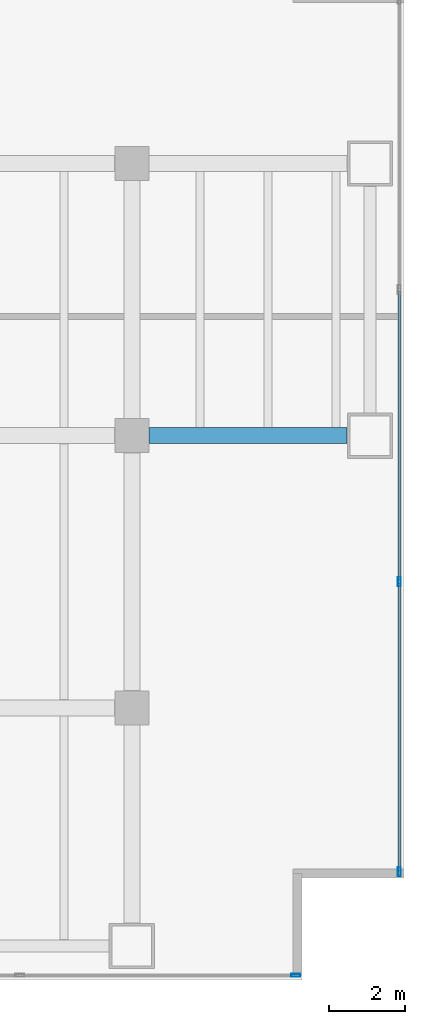
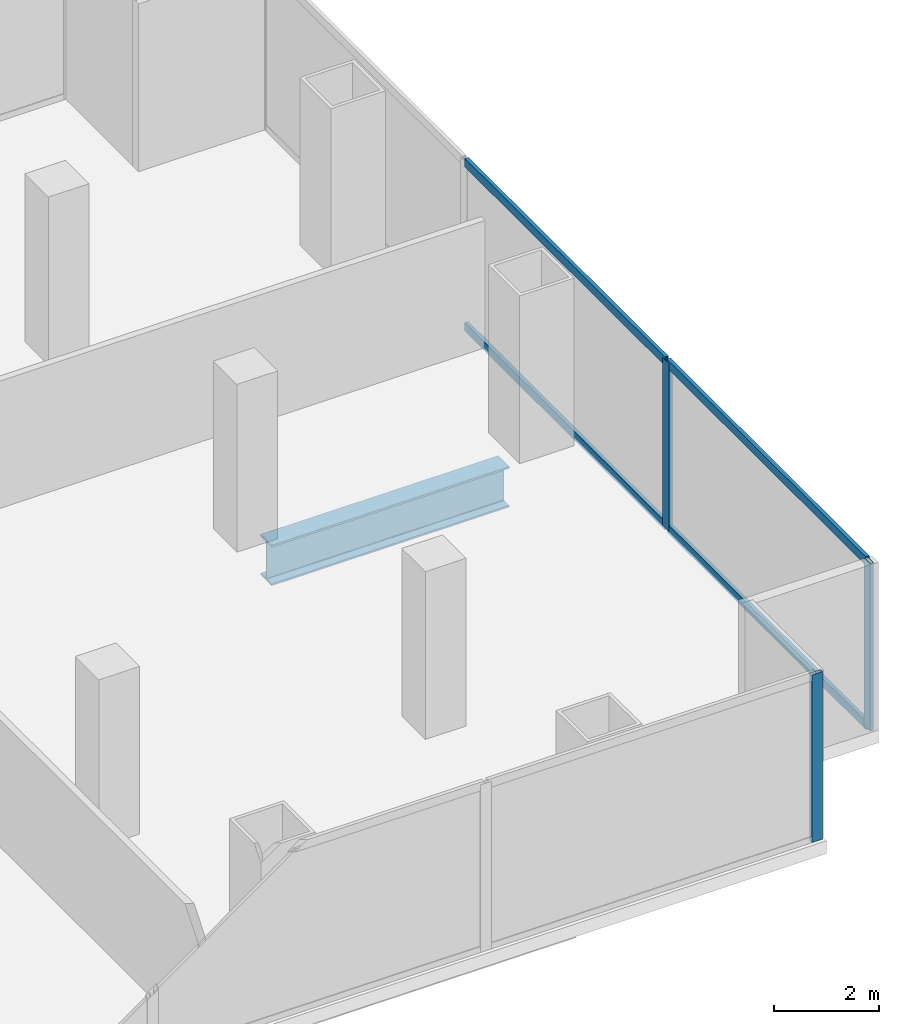
# One storey, part 18 of 29: 7 members, 1 beam, 2 elements without a shape of their own.
"""IFC4 building model written with IfcOpenShell, lengths in metres."""

from ifc_helpers import new_model, si_unit, direction, frame, origin, origin_2d, place, context, subcontext, project, spatial, hollow_rectangle, i_section, extrude, material, material_profile, profile_set, type_object, element, aggregate, save


model = new_model("IFC4")

# Units and contexts
model_context = context("Model", 3, precision=1e-05, world=origin(), true_north=direction((0.0, 1.0)))
body_context = subcontext(model_context, "Body", "Model", "MODEL_VIEW")
ifc_project = project(units=[si_unit("LENGTHUNIT", "METRE"), si_unit("AREAUNIT", "SQUARE_METRE"), si_unit("VOLUMEUNIT", "CUBIC_METRE"), si_unit("PLANEANGLEUNIT", "RADIAN"), si_unit("MASSUNIT", "GRAM", prefix="KILO")], contexts=[model_context])

# Site, building, storey
site_placement = place(None, origin())
site = spatial("IfcSite", under=ifc_project, at=site_placement, CompositionType="ELEMENT")
building_placement = place(site_placement, origin())
building = spatial("IfcBuilding", under=site, at=building_placement, Name="Cobrela Telecom Tower", CompositionType="ELEMENT")
storey_placement = place(building_placement, frame((0.0, 0.0, 13.64990234375)))
storey = spatial("IfcBuildingStorey", under=building, at=storey_placement, Name="L03", CompositionType="ELEMENT", Elevation=13.64990234375)

# Beam
ifc_material_1 = material(Name="Steel ASTM A992 Grade 50", Category="steel")
ifc_material_profile_1 = material_profile(ifc_material_1, i_section(OverallWidth=0.424072265625, OverallDepth=0.947021484375, WebThickness=0.02392578125, FlangeThickness=0.042724609375, FilletRadius=0.02392578125, at=origin_2d()), Name="W36X302")
ifc_profile_set_1 = profile_set([ifc_material_profile_1], Name="Steel ASTM A992 Grade 50")
beam_type = type_object("IfcBeamType", Name="BM-GIRD-01", PredefinedType="USERDEFINED", material=ifc_profile_set_1)
beam_placement = place(storey_placement, frame((79.655029296875, 14.39990234375, -0.7734375), z_axis=(1.0, 0.0, 0.0), x_axis=(0.0, 1.0, 0.0)))
element("IfcBeam", 1, at=beam_placement, inside=storey, type_object=beam_type, Name="L03 Primary Girder X28", ObjectType="GIRDER", PredefinedType="USERDEFINED", context=body_context, shape_type="SweptSolid", body=[
    extrude(i_section(OverallWidth=0.424072265625, OverallDepth=0.947021484375, WebThickness=0.02392578125, FlangeThickness=0.042724609375, FilletRadius=0.02392578125, at=origin_2d()), origin(), (0.0, 0.0, 1.0), 5.239990234375),
])

# Curtain wall, members
ifc_material_2 = material(Name="Anodized Bronze Aluminium 6063-T6", Category="aluminium")
curtain_wall_type = type_object("IfcCurtainWallType", Name="CW-SYS-CONC", PredefinedType="USERDEFINED", material=ifc_material_2)
curtain_wall_1_placement = place(storey_placement, origin())
curtain_wall_1 = element("IfcCurtainWall", 2, at=curtain_wall_1_placement, inside=storey, type_object=curtain_wall_type, Name="L03 Unitised Bronze Curtain Wall 14", ObjectType="UNITISED CURTAIN WALL", PredefinedType="USERDEFINED")
ifc_material_profile_2 = material_profile(ifc_material_2, hollow_rectangle(XDim=0.080078125, YDim=0.239990234375, WallThickness=0.0048828125, at=origin_2d()), Name="ALU 80x240x5")
ifc_profile_set_2 = profile_set([ifc_material_profile_2], Name="Anodized Bronze Aluminium 6063-T6")
member_type_1 = type_object("IfcMemberType", Name="CW-SYS-CONC-MUL", PredefinedType="MULLION", material=ifc_profile_set_2)
member_1_placement = place(storey_placement, frame((86.280029296875, 10.5400390625, 0.0), z_axis=(0.0, 0.0, 1.0), x_axis=(1.0, 0.0, 0.0)))
member_1 = element("IfcMember", 3, at=member_1_placement, type_object=member_type_1, Name="CW-CONC mullion 3", PredefinedType="MULLION", context=body_context, shape_type="SweptSolid", body=[
    extrude(hollow_rectangle(XDim=0.080078125, YDim=0.239990234375, WallThickness=0.0048828125, at=origin_2d()), origin(), (0.0, 0.0, 1.0), 3.91015625),
])
member_2_placement = place(storey_placement, frame((86.280029296875, 2.860107421875, 0.0), z_axis=(0.0, 0.0, 1.0), x_axis=(1.0, 0.0, 0.0)))
member_2 = element("IfcMember", 4, at=member_2_placement, type_object=member_type_1, Name="CW-CONC mullion 4", PredefinedType="MULLION", context=body_context, shape_type="SweptSolid", body=[
    extrude(hollow_rectangle(XDim=0.080078125, YDim=0.239990234375, WallThickness=0.0048828125, at=origin_2d()), origin(), (0.0, 0.0, 1.0), 3.91015625),
])

# Curtain wall, member
curtain_wall_2_placement = place(storey_placement, origin())
curtain_wall_2 = element("IfcCurtainWall", 5, at=curtain_wall_2_placement, inside=storey, type_object=curtain_wall_type, Name="L03 Unitised Bronze Curtain Wall 17", ObjectType="UNITISED CURTAIN WALL", PredefinedType="USERDEFINED")
member_3_placement = place(storey_placement, frame((83.5400390625, 0.1201171875, 0.0), z_axis=(0.0, 0.0, 1.0), x_axis=(0.0, -1.0, 0.0)))
member_3 = element("IfcMember", 6, at=member_3_placement, type_object=member_type_1, Name="CW-CONC mullion 1", PredefinedType="MULLION", context=body_context, shape_type="SweptSolid", body=[
    extrude(hollow_rectangle(XDim=0.080078125, YDim=0.239990234375, WallThickness=0.0048828125, at=origin_2d()), origin(), (0.0, 0.0, 1.0), 3.91015625),
])
aggregate(curtain_wall_2, [member_3])

# Member
ifc_material_profile_3 = material_profile(ifc_material_2, hollow_rectangle(XDim=0.080078125, YDim=0.199951171875, WallThickness=0.00390625, at=origin_2d()), Name="ALU 80x200x4")
ifc_profile_set_3 = profile_set([ifc_material_profile_3], Name="Anodized Bronze Aluminium 6063-T6")
member_type_2 = type_object("IfcMemberType", Name="CW-SYS-CONC-TRN", PredefinedType="USERDEFINED", material=ifc_profile_set_3)
member_4_placement = place(storey_placement, frame((86.280029296875, 18.219970703125, 0.0400390625), z_axis=(0.0, -1.0, 0.0), x_axis=(1.0, 0.0, 0.0)))
member_4 = element("IfcMember", 7, at=member_4_placement, type_object=member_type_2, Name="CW-CONC transom 2.1", ObjectType="TRANSOM", PredefinedType="USERDEFINED", context=body_context, shape_type="SweptSolid", body=[
    extrude(hollow_rectangle(XDim=0.080078125, YDim=0.199951171875, WallThickness=0.00390625, at=origin_2d()), origin(), (0.0, 0.0, 1.0), 7.639892578125),
])

member_5_placement = place(storey_placement, frame((86.280029296875, 18.219970703125, 3.8701171875), z_axis=(0.0, -1.0, 0.0), x_axis=(1.0, 0.0, 0.0)))
member_5 = element("IfcMember", 8, at=member_5_placement, type_object=member_type_2, Name="CW-CONC transom 2.2", ObjectType="TRANSOM", PredefinedType="USERDEFINED", context=body_context, shape_type="SweptSolid", body=[
    extrude(hollow_rectangle(XDim=0.080078125, YDim=0.199951171875, WallThickness=0.00390625, at=origin_2d()), origin(), (0.0, 0.0, 1.0), 7.639892578125),
])

member_6_placement = place(storey_placement, frame((86.280029296875, 10.5, 0.0400390625), z_axis=(0.0, -1.0, 0.0), x_axis=(1.0, 0.0, 0.0)))
member_6 = element("IfcMember", 9, at=member_6_placement, type_object=member_type_2, Name="CW-CONC transom 3.1", ObjectType="TRANSOM", PredefinedType="USERDEFINED", context=body_context, shape_type="SweptSolid", body=[
    extrude(hollow_rectangle(XDim=0.080078125, YDim=0.199951171875, WallThickness=0.00390625, at=origin_2d()), origin(), (0.0, 0.0, 1.0), 7.60009765625),
])

member_7_placement = place(storey_placement, frame((86.280029296875, 10.5, 3.8701171875), z_axis=(0.0, -1.0, 0.0), x_axis=(1.0, 0.0, 0.0)))
member_7 = element("IfcMember", 10, at=member_7_placement, type_object=member_type_2, Name="CW-CONC transom 3.2", ObjectType="TRANSOM", PredefinedType="USERDEFINED", context=body_context, shape_type="SweptSolid", body=[
    extrude(hollow_rectangle(XDim=0.080078125, YDim=0.199951171875, WallThickness=0.00390625, at=origin_2d()), origin(), (0.0, 0.0, 1.0), 7.60009765625),
])

aggregate(curtain_wall_1, [member_1, member_2, member_4, member_5, member_6, member_7])

save(model, "model.ifc")
